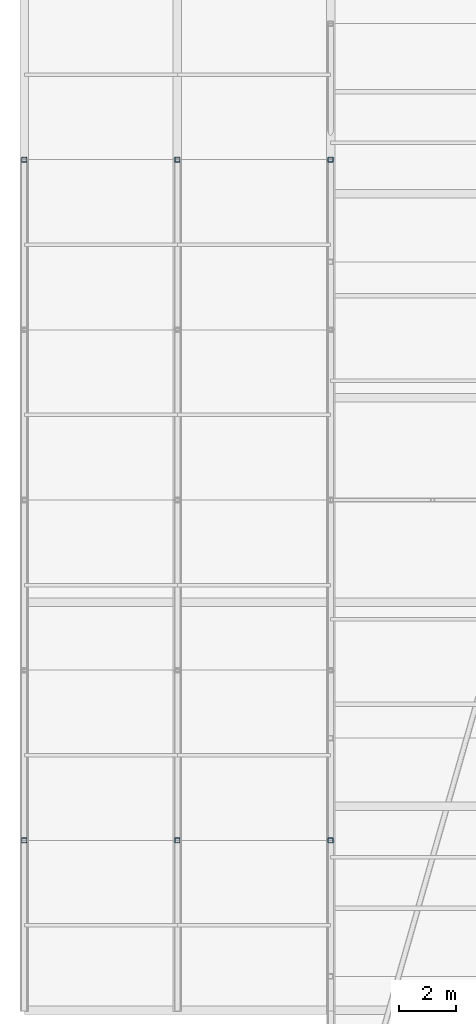
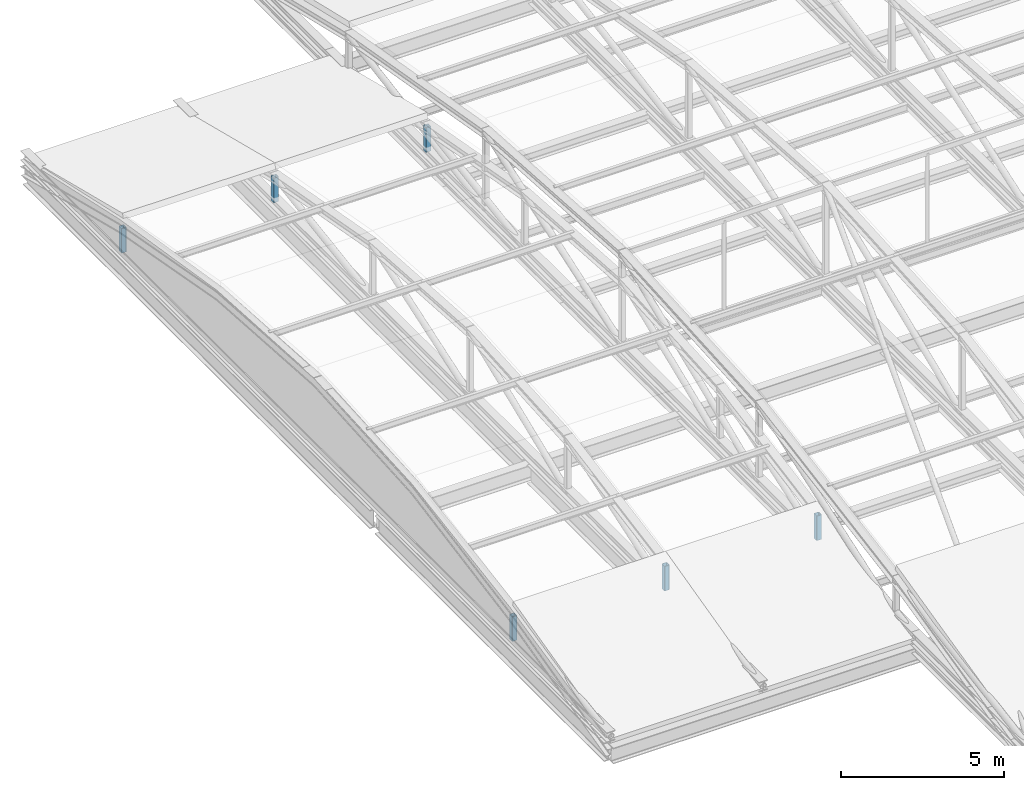
# One storey, part 51 of 76: 6 members.
"""IFC4 building model written with IfcOpenShell, lengths in metres."""

from ifc_helpers import new_model, si_unit, direction, frame, origin, origin_2d, place, context, subcontext, project, spatial, hollow_rectangle, extrude, material, material_profile, profile_set, type_object, element, save


model = new_model("IFC4")

# Units and contexts
model_context = context("Model", 3, precision=1e-05, world=origin(), true_north=direction((0.0, 1.0)))
body_context = subcontext(model_context, "Body", "Model", "MODEL_VIEW")
ifc_project = project(units=[si_unit("LENGTHUNIT", "METRE"), si_unit("AREAUNIT", "SQUARE_METRE"), si_unit("VOLUMEUNIT", "CUBIC_METRE"), si_unit("PLANEANGLEUNIT", "RADIAN"), si_unit("MASSUNIT", "GRAM", prefix="KILO")], contexts=[model_context])

# Site, building, storey
site_placement = place(None, origin())
site = spatial("IfcSite", under=ifc_project, at=site_placement, CompositionType="ELEMENT")
building_placement = place(site_placement, origin())
building = spatial("IfcBuilding", under=site, at=building_placement, Name="Zlatovets Crest Museum", CompositionType="ELEMENT")
storey_placement = place(building_placement, frame((0.0, 0.0, 17.10009765625)))
storey = spatial("IfcBuildingStorey", under=building, at=storey_placement, Name="L04", CompositionType="ELEMENT", Elevation=17.10009765625)

# Members
ifc_material = material(Name="Structural steel S355J2", Category="steel")
ifc_material_profile = material_profile(ifc_material, hollow_rectangle(XDim=0.179931640625, YDim=0.179931640625, WallThickness=0.010009765625, InnerFilletRadius=0.010009765625, OuterFilletRadius=0.02001953125, at=origin_2d()), Name="SHS 180x180x10.0")
ifc_profile_set = profile_set([ifc_material_profile], Name="Structural steel S355J2")
member_type = type_object("IfcMemberType", Name="Member_TM-04", PredefinedType="STRUT", material=ifc_profile_set)
for number, where, z_axis, x_axis, name in (
    (1, (-3.60009765625, 63.60009765625, 0.079833984375), (0.0, 0.0, 1.0), (1.0, 0.0, 0.0), "V4 Barrel Vault Web Strut"),
    (2, (-3.60009765625, 87.60009765625, 0.079833984375), (0.0, 0.0, 1.0), (1.0, 0.0, 0.0), "V4 Barrel Vault Web Strut"),
    (3, (1.800048828125, 63.60009765625, 0.079833984375), (0.0, 0.0, 1.0), (1.0, 0.0, 0.0), "V4 Barrel Vault Web Strut"),
    (4, (1.800048828125, 87.60009765625, 0.079833984375), (0.0, 0.0, 1.0), (1.0, 0.0, 0.0), "V4 Barrel Vault Web Strut"),
    (5, (7.199951171875, 63.60009765625, 0.079833984375), (0.0, 0.0, 1.0), (1.0, 0.0, 0.0), "V4 Barrel Vault Web Strut"),
    (6, (7.199951171875, 87.60009765625, 0.079833984375), (0.0, 0.0, 1.0), (1.0, 0.0, 0.0), "V4 Barrel Vault Web Strut"),
):
    element("IfcMember", number, at=place(storey_placement, frame(where, z_axis=z_axis, x_axis=x_axis)), inside=storey, type_object=member_type, Name=name, PredefinedType="STRUT", context=body_context, shape_type="SweptSolid", body=[
        extrude(hollow_rectangle(XDim=0.179931640625, YDim=0.179931640625, WallThickness=0.010009765625, InnerFilletRadius=0.010009765625, OuterFilletRadius=0.02001953125, at=origin_2d()), origin(), (0.0, 0.0, 1.0), 0.920166015625),
    ])

save(model, "model.ifc")
